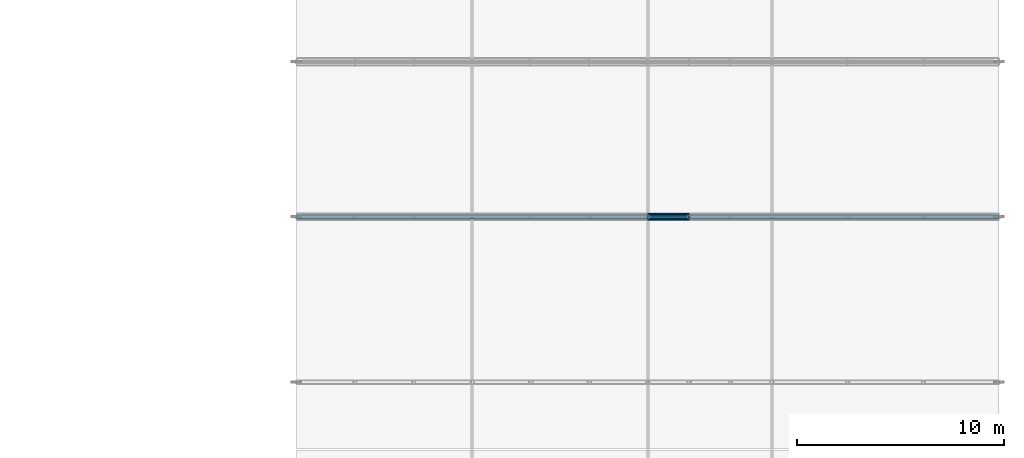
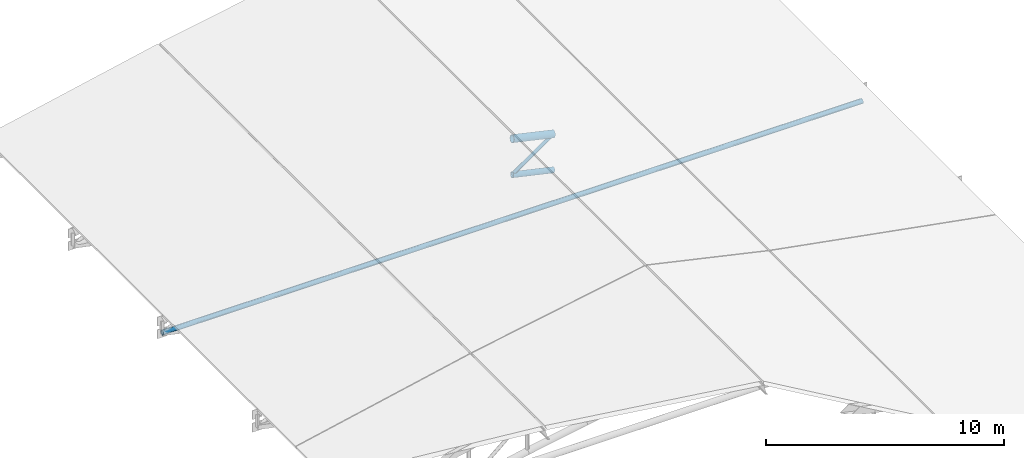
# One storey, part 15 of 28: 3 members, 1 beam.
"""IFC4 building model written with IfcOpenShell, lengths in metres."""

from ifc_helpers import new_model, si_unit, direction, frame, origin, origin_2d, place, context, subcontext, project, spatial, hollow_circle, extrude, material, material_profile, profile_set, type_object, element, save


model = new_model("IFC4")

# Units and contexts
model_context = context("Model", 3, precision=1e-05, world=origin(), true_north=direction((0.0, 1.0)))
body_context = subcontext(model_context, "Body", "Model", "MODEL_VIEW")
ifc_project = project(units=[si_unit("LENGTHUNIT", "METRE"), si_unit("AREAUNIT", "SQUARE_METRE"), si_unit("VOLUMEUNIT", "CUBIC_METRE"), si_unit("PLANEANGLEUNIT", "RADIAN"), si_unit("MASSUNIT", "GRAM", prefix="KILO"), si_unit("THERMODYNAMICTEMPERATUREUNIT", "KELVIN"), si_unit("POWERUNIT", "WATT")], contexts=[model_context])

# Site, building, storey
site_placement = place(None, origin())
site = spatial("IfcSite", under=ifc_project, at=site_placement, CompositionType="ELEMENT")
building_placement = place(site_placement, origin())
building = spatial("IfcBuilding", under=site, at=building_placement, Name="Tepalcoro Natatorium and Aquatics Centre", CompositionType="ELEMENT")
storey_placement = place(building_placement, frame((0.0, 0.0, 23.199951171875)))
storey = spatial("IfcBuildingStorey", under=building, at=storey_placement, Name="RF", CompositionType="ELEMENT", Elevation=23.199951171875)

# Beam
ifc_material = material(Name="Terracotta Painted Hollow Steel ASTM A500 Grade C (Fy 345 MPa)", Category="masonry")
ifc_material_profile_1 = material_profile(ifc_material, hollow_circle(Radius=0.177978515625, WallThickness=0.01611328125, at=origin_2d()), Name="CHS356X16")
ifc_profile_set_1 = profile_set([ifc_material_profile_1], Name="Terracotta Painted Hollow Steel ASTM A500 Grade C (Fy 345 MPa)")
beam_type = type_object("IfcBeamType", Name="AC_CHS356x16", PredefinedType="USERDEFINED", material=ifc_profile_set_1)
beam_placement = place(storey_placement, frame((159.0, 44.0, -0.281005859375), z_axis=(0.97561485681, 0.0, -0.21948952406), x_axis=(0.0, 1.0, 0.0)))
element("IfcBeam", 1, at=beam_placement, inside=storey, type_object=beam_type, Name="V2 Barrel-Arch Top Chord 6", ObjectType="ARCH CHORD", PredefinedType="USERDEFINED", context=body_context, shape_type="SweptSolid", body=[
    extrude(hollow_circle(Radius=0.177978515625, WallThickness=0.01611328125, at=origin_2d()), origin(), (0.0, 0.0, 1.0), 2.050048828125),
])

# Members
ifc_material_profile_2 = material_profile(ifc_material, hollow_circle(Radius=0.1220703125, WallThickness=0.01611328125, at=origin_2d()), Name="CHS244X16")
ifc_profile_set_2 = profile_set([ifc_material_profile_2], Name="Terracotta Painted Hollow Steel ASTM A500 Grade C (Fy 345 MPa)")
member_type_1 = type_object("IfcMemberType", Name="MB_AT_CHS244x16", PredefinedType="USERDEFINED", material=ifc_profile_set_2)
member_1_placement = place(storey_placement, frame((142.0, 44.0, -4.291015625), z_axis=(1.0, 0.0, 0.0), x_axis=(0.0, 1.0, 0.0)))
element("IfcMember", 2, at=member_1_placement, inside=storey, type_object=member_type_1, Name="V2 Barrel-Arch Tie 6", ObjectType="ARCH TIE", PredefinedType="USERDEFINED", context=body_context, shape_type="SweptSolid", body=[
    extrude(hollow_circle(Radius=0.1220703125, WallThickness=0.01611328125, at=origin_2d()), origin(), (0.0, 0.0, 1.0), 34.0),
])
ifc_material_profile_3 = material_profile(ifc_material, hollow_circle(Radius=0.136474609375, WallThickness=0.01611328125, at=origin_2d()), Name="CHS273X16")
ifc_profile_set_3 = profile_set([ifc_material_profile_3], Name="Terracotta Painted Hollow Steel ASTM A500 Grade C (Fy 345 MPa)")
member_type_2 = type_object("IfcMemberType", Name="MB_CH_CHS273x16", PredefinedType="CHORD", material=ifc_profile_set_3)
member_2_placement = place(storey_placement, frame((159.0, 44.0, -2.130859375), z_axis=(0.975589348514, 0.0, -0.219602875813), x_axis=(0.0, 1.0, 0.0)))
element("IfcMember", 3, at=member_2_placement, inside=storey, type_object=member_type_2, Name="V2 Barrel-Arch Bottom Chord 6", PredefinedType="CHORD", context=body_context, shape_type="SweptSolid", body=[
    extrude(hollow_circle(Radius=0.136474609375, WallThickness=0.01611328125, at=origin_2d()), origin(), (0.0, 0.0, 1.0), 2.050048828125),
])
ifc_material_profile_4 = material_profile(ifc_material, hollow_circle(Radius=0.083984375, WallThickness=0.011962890625, at=origin_2d()), Name="CHS168X12")
ifc_profile_set_4 = profile_set([ifc_material_profile_4], Name="Terracotta Painted Hollow Steel ASTM A500 Grade C (Fy 345 MPa)")
member_type_3 = type_object("IfcMemberType", Name="MB_ST_CHS168x12", PredefinedType="STRUT", material=ifc_profile_set_4)
member_3_placement = place(storey_placement, frame((159.0, 44.0, -2.130859375), z_axis=(0.819250713189, 0.0, 0.573435496756), x_axis=(0.0, 1.0, 0.0)))
element("IfcMember", 4, at=member_3_placement, inside=storey, type_object=member_type_3, Name="V2 Barrel-Arch Web Diagonal 6", PredefinedType="STRUT", context=body_context, shape_type="SweptSolid", body=[
    extrude(hollow_circle(Radius=0.083984375, WallThickness=0.011962890625, at=origin_2d()), origin(), (0.0, 0.0, 1.0), 2.441162109375),
])

save(model, "model.ifc")
